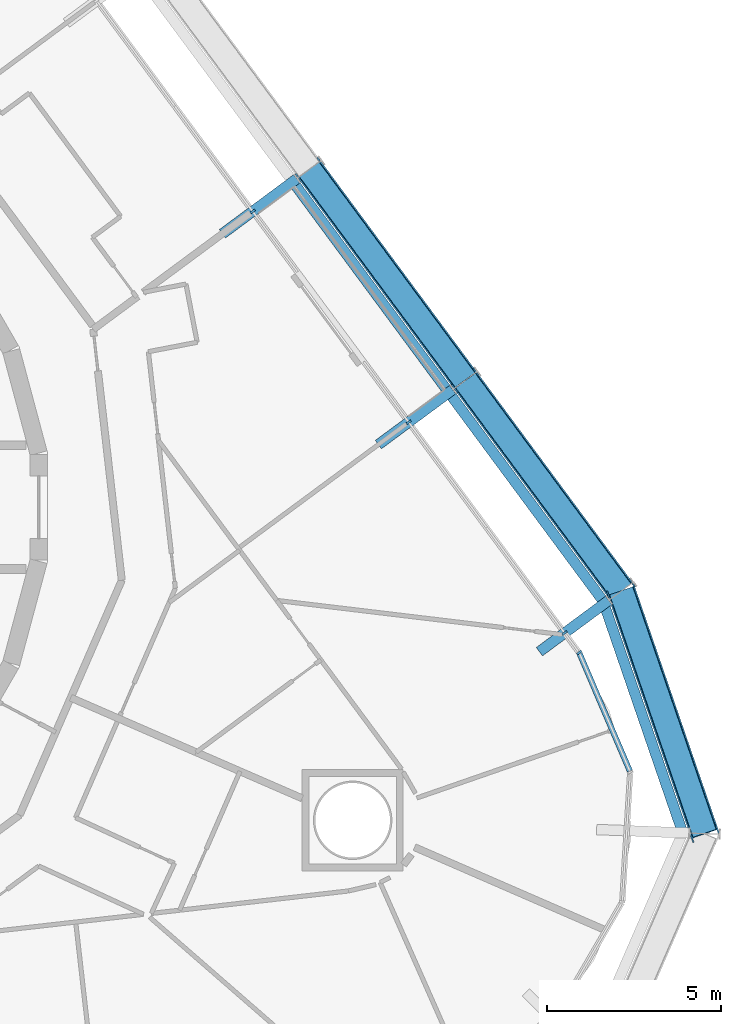
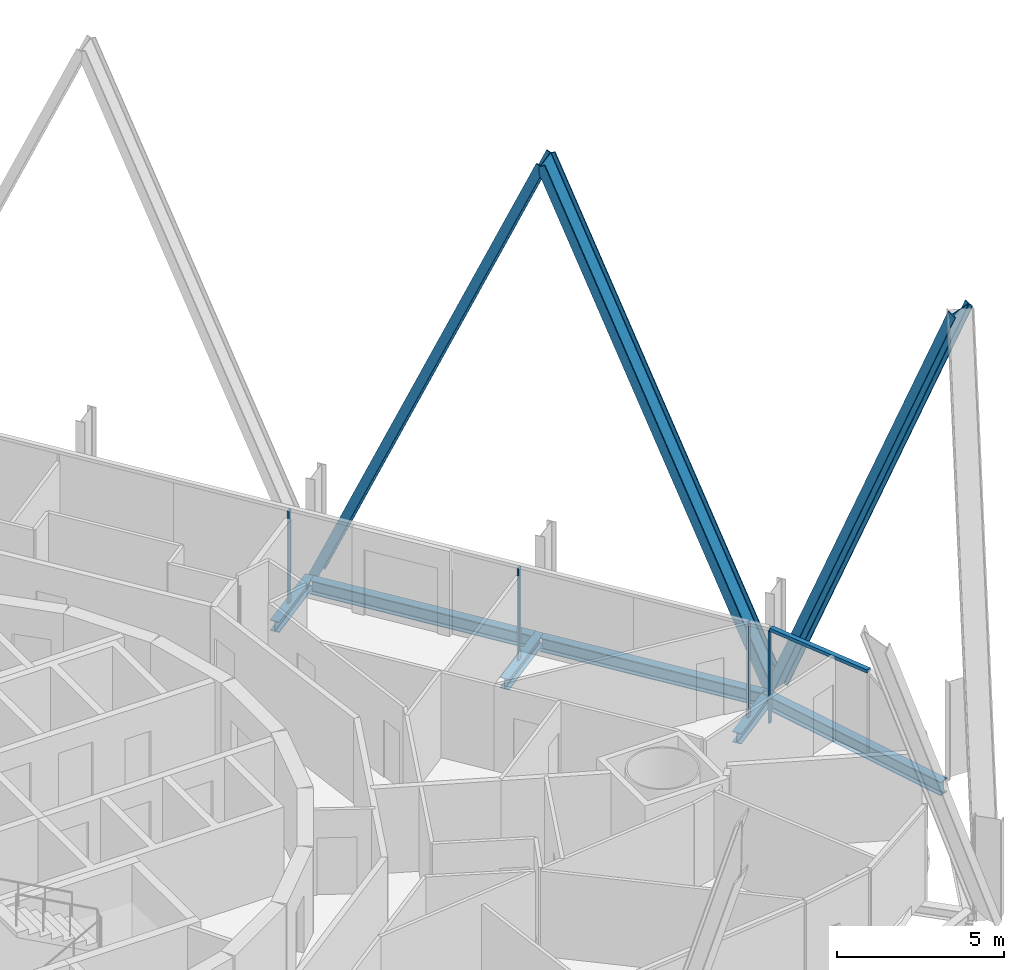
# One storey, part 8 of 23: 8 members, 6 beams, 2 elements without a shape of their own.
"""IFC4 building model written with IfcOpenShell, lengths in metres."""

from ifc_helpers import new_model, si_unit, direction, frame, origin, origin_2d, place, context, subcontext, project, spatial, rectangle, i_section, extrude, material, layer, layer_set, material_profile, profile_set, type_object, element, aggregate, save


model = new_model("IFC4")

# Units and contexts
model_context = context("Model", 3, precision=1e-05, world=origin(), true_north=direction((0.0, 1.0)))
body_context = subcontext(model_context, "Body", "Model", "MODEL_VIEW")
ifc_project = project(units=[si_unit("LENGTHUNIT", "METRE"), si_unit("AREAUNIT", "SQUARE_METRE"), si_unit("VOLUMEUNIT", "CUBIC_METRE"), si_unit("PLANEANGLEUNIT", "RADIAN"), si_unit("MASSUNIT", "GRAM", prefix="KILO")], contexts=[model_context])

# Site, building, storey
site_placement = place(None, origin())
site = spatial("IfcSite", under=ifc_project, at=site_placement, CompositionType="ELEMENT")
building_placement = place(site_placement, origin())
building = spatial("IfcBuilding", under=site, at=building_placement, Name="Spindle Arch Residences", CompositionType="ELEMENT")
storey_placement = place(building_placement, frame((0.0, 0.0, 90.699951171875)))
storey = spatial("IfcBuildingStorey", under=building, at=storey_placement, Name="L21", CompositionType="ELEMENT", Elevation=90.699951171875)

# Curtain wall, member
ifc_material_1 = material(Name="Aluminium bronze unitised frame with tinted glass", Category="aluminium")
ifc_layer_1 = layer(ifc_material_1, 0.159912109375)
ifc_layer_set_1 = layer_set([ifc_layer_1], Name="CW-D corner wall on the fillet arcs")
curtain_wall_type_1 = type_object("IfcCurtainWallType", Name="CW-D corner wall on the fillet arcs", PredefinedType="NOTDEFINED", material=ifc_layer_set_1)
curtain_wall_1_placement = place(storey_placement, origin())
curtain_wall_1 = element("IfcCurtainWall", 1, at=curtain_wall_1_placement, inside=storey, type_object=curtain_wall_type_1, Name="CW-D L21 run 1", PredefinedType="NOTDEFINED")
ifc_material_2 = material(Name="Aluminium bronze anodised mullion", Category="aluminium")
ifc_material_profile_1 = material_profile(ifc_material_2, rectangle(XDim=0.159912109375, YDim=0.06005859375, at=origin_2d()), Name="MU 60x160")
ifc_profile_set_1 = profile_set([ifc_material_profile_1], Name="Aluminium bronze anodised mullion")
member_type_1 = type_object("IfcMemberType", Name="Bronze mullion 60x160", PredefinedType="MULLION", material=ifc_profile_set_1)
member_1_placement = place(storey_placement, frame((27.142822265625, -4.171630859375, -0.3798828125), z_axis=(0.0, 0.0, 1.0), x_axis=(-0.803856860617, -0.594822786751, 0.0)))
member_1 = element("IfcMember", 2, at=member_1_placement, type_object=member_type_1, Name="CW-D mullion 05", PredefinedType="MULLION", context=body_context, shape_type="SweptSolid", body=[
    extrude(rectangle(XDim=0.159912109375, YDim=0.06005859375, at=origin_2d()), origin(), (0.0, 0.0, 1.0), 3.3798828125),
])

# Curtain wall, members
ifc_material_3 = material(Name="Aluminium bronze unitised frame with tinted glass", Category="aluminium")
ifc_layer_2 = layer(ifc_material_3, 0.159912109375)
ifc_layer_set_2 = layer_set([ifc_layer_2], Name="CW-C typical residential unitised wall")
curtain_wall_type_2 = type_object("IfcCurtainWallType", Name="CW-C typical residential unitised wall", PredefinedType="NOTDEFINED", material=ifc_layer_set_2)
curtain_wall_2_placement = place(storey_placement, origin())
curtain_wall_2 = element("IfcCurtainWall", 3, at=curtain_wall_2_placement, inside=storey, type_object=curtain_wall_type_2, Name="CW-C L21 run 2", PredefinedType="NOTDEFINED")
member_2_placement = place(storey_placement, frame((26.7255859375, -3.607666015625, -0.3798828125), z_axis=(0.0, 0.0, 1.0), x_axis=(-0.803856860617, -0.594822786751, 0.0)))
member_2 = element("IfcMember", 4, at=member_2_placement, type_object=member_type_1, Name="CW-C mullion 05", PredefinedType="MULLION", context=body_context, shape_type="SweptSolid", body=[
    extrude(rectangle(XDim=0.159912109375, YDim=0.06005859375, at=origin_2d()), origin(), (0.0, 0.0, 1.0), 3.3798828125),
])
member_3_placement = place(storey_placement, frame((22.253173828125, 2.436279296875, -0.3798828125), z_axis=(0.0, 0.0, 1.0), x_axis=(-0.803856860617, -0.594822786751, 0.0)))
member_3 = element("IfcMember", 5, at=member_3_placement, type_object=member_type_1, Name="CW-C mullion 06", PredefinedType="MULLION", context=body_context, shape_type="SweptSolid", body=[
    extrude(rectangle(XDim=0.159912109375, YDim=0.06005859375, at=origin_2d()), origin(), (0.0, 0.0, 1.0), 3.3798828125),
])
member_4_placement = place(storey_placement, frame((17.78076171875, 8.48046875, -0.3798828125), z_axis=(0.0, 0.0, 1.0), x_axis=(-0.803856860617, -0.594822786751, 0.0)))
member_4 = element("IfcMember", 6, at=member_4_placement, type_object=member_type_1, Name="CW-C mullion 07", PredefinedType="MULLION", context=body_context, shape_type="SweptSolid", body=[
    extrude(rectangle(XDim=0.159912109375, YDim=0.06005859375, at=origin_2d()), origin(), (0.0, 0.0, 1.0), 3.3798828125),
])
aggregate(curtain_wall_2, [member_2, member_3, member_4])

# Member
ifc_material_4 = material(Name="Aluminium bronze anodised transom", Category="aluminium")
ifc_material_profile_2 = material_profile(ifc_material_4, rectangle(XDim=0.159912109375, YDim=0.1201171875, at=origin_2d()), Name="TR 120x160")
ifc_profile_set_2 = profile_set([ifc_material_profile_2], Name="Aluminium bronze anodised transom")
member_type_2 = type_object("IfcMemberType", Name="Bronze transom 120x160", PredefinedType="USERDEFINED", material=ifc_profile_set_2)
member_5_placement = place(storey_placement, frame((28.59716796875, -7.5703125, 3.06005859375), z_axis=(-0.393429066236, 0.919354974882, 0.0), x_axis=(-0.919354974882, -0.393429066236, 0.0)))
member_5 = element("IfcMember", 7, at=member_5_placement, type_object=member_type_2, Name="CW-D transom 04", ObjectType="TRANSOM", PredefinedType="USERDEFINED", context=body_context, shape_type="SweptSolid", body=[
    extrude(rectangle(XDim=0.159912109375, YDim=0.1201171875, at=origin_2d()), origin(), (0.0, 0.0, 1.0), 3.666748046875),
])

aggregate(curtain_wall_1, [member_5, member_1])

# Members
ifc_material_5 = material(Name="Steel S460ML, intumescent coating R 240", Category="steel")
ifc_material_profile_3 = material_profile(ifc_material_5, i_section(OverallWidth=0.302978515625, OverallDepth=0.81396484375, WebThickness=0.02099609375, FlangeThickness=0.0400390625, FilletRadius=0.030029296875, at=origin_2d()), Name="HEM 800")
ifc_profile_set_3 = profile_set([ifc_material_profile_3], Name="Steel S460ML, intumescent coating R 240")
member_type_3 = type_object("IfcMemberType", Name="Diagrid diagonal HEM 800", PredefinedType="BRACE", material=ifc_profile_set_3)
member_6_placement = place(storey_placement, frame((28.349365234375, -2.40625, -0.6298828125), z_axis=(0.127367454391, -0.370450204797, 0.920078353907), x_axis=(-0.299151783577, 0.870087574736, 0.3917343777)))
element("IfcMember", 8, at=member_6_placement, inside=storey, type_object=member_type_3, Name="Diagrid diagonal 2.2.5", PredefinedType="BRACE", context=body_context, shape_type="SweptSolid", body=[
    extrude(i_section(OverallWidth=0.302978515625, OverallDepth=0.81396484375, WebThickness=0.02099609375, FlangeThickness=0.0400390625, FilletRadius=0.030029296875, at=origin_2d()), origin(), (0.0, 0.0, 1.0), 18.7734375),
])
member_7_placement = place(storey_placement, frame((28.349365234375, -2.40625, -0.6298828125), z_axis=(-0.237407949689, 0.320842219032, 0.916895706125), x_axis=(0.545386297226, -0.737055983429, 0.399126877182)))
element("IfcMember", 9, at=member_7_placement, inside=storey, type_object=member_type_3, Name="Diagrid diagonal 2.2.6", PredefinedType="BRACE", context=body_context, shape_type="SweptSolid", body=[
    extrude(i_section(OverallWidth=0.302978515625, OverallDepth=0.81396484375, WebThickness=0.02099609375, FlangeThickness=0.0400390625, FilletRadius=0.030029296875, at=origin_2d()), origin(), (0.0, 0.0, 1.0), 18.838623046875),
])
member_8_placement = place(storey_placement, frame((19.404541015625, 9.681884765625, -0.6298828125), z_axis=(0.237408936819, -0.320830593367, 0.916899518529), x_axis=(-0.545402800564, 0.737048514153, 0.399118119009)))
element("IfcMember", 10, at=member_8_placement, inside=storey, type_object=member_type_3, Name="Diagrid diagonal 2.2.7", PredefinedType="BRACE", context=body_context, shape_type="SweptSolid", body=[
    extrude(i_section(OverallWidth=0.302978515625, OverallDepth=0.81396484375, WebThickness=0.02099609375, FlangeThickness=0.0400390625, FilletRadius=0.030029296875, at=origin_2d()), origin(), (0.0, 0.0, 1.0), 18.83837890625),
])

# Beams
ifc_material_6 = material(Name="Steel S460ML, intumescent coating R 120", Category="steel")
ifc_material_profile_4 = material_profile(ifc_material_6, i_section(OverallWidth=0.300048828125, OverallDepth=0.5, WebThickness=0.014404296875, FlangeThickness=0.028076171875, FilletRadius=0.027099609375, at=origin_2d()), Name="HEB 500")
ifc_profile_set_4 = profile_set([ifc_material_profile_4], Name="Steel S460ML, intumescent coating R 120")
beam_type_1 = type_object("IfcBeamType", Name="Exoskeleton edge beam HEB 500", PredefinedType="BEAM", material=ifc_profile_set_4)
beam_1_placement = place(storey_placement, frame((30.13720703125, -9.4111328125, -0.6298828125), z_axis=(-0.325113431361, 0.94567502703, 0.0), x_axis=(-0.94567502703, -0.325113431361, 0.0)))
element("IfcBeam", 11, at=beam_1_placement, inside=storey, type_object=beam_type_1, Name="Exoskeleton edge beam 5", PredefinedType="BEAM", context=body_context, shape_type="SweptSolid", body=[
    extrude(i_section(OverallWidth=0.300048828125, OverallDepth=0.5, WebThickness=0.014404296875, FlangeThickness=0.028076171875, FilletRadius=0.027099609375, at=origin_2d()), origin(), (0.0, 0.0, 1.0), 7.09423828125),
])
for number, where, z_axis, x_axis, name in (
    (12, (27.800048828125, -2.65087890625, -0.6298828125), (-0.594821272041, 0.803857981441, 0.0), (-0.803857981441, -0.594821272041, 0.0), "Exoskeleton edge beam 6"),
    (13, (23.32763671875, 3.393310546875, -0.6298828125), (-0.594821272041, 0.803857981441, 0.0), (-0.803857981441, -0.594821272041, 0.0), "Exoskeleton edge beam 7"),
):
    element("IfcBeam", number, at=place(storey_placement, frame(where, z_axis=z_axis, x_axis=x_axis)), inside=storey, type_object=beam_type_1, Name=name, PredefinedType="BEAM", context=body_context, shape_type="SweptSolid", body=[
        extrude(i_section(OverallWidth=0.300048828125, OverallDepth=0.5, WebThickness=0.014404296875, FlangeThickness=0.028076171875, FilletRadius=0.027099609375, at=origin_2d()), origin(), (0.0, 0.0, 1.0), 7.2587890625),
    ])
ifc_material_7 = material(Name="Steel S460ML, intumescent coating R 120", Category="steel")
ifc_material_profile_5 = material_profile(ifc_material_7, i_section(OverallWidth=0.300048828125, OverallDepth=0.389892578125, WebThickness=0.010986328125, FlangeThickness=0.01904296875, FilletRadius=0.027099609375, at=origin_2d()), Name="HEA 400")
ifc_profile_set_5 = profile_set([ifc_material_profile_5], Name="Steel S460ML, intumescent coating R 120")
beam_type_2 = type_object("IfcBeamType", Name="Floor outrigger HEA 400", PredefinedType="BEAM", material=ifc_profile_set_5)
beam_2_placement = place(storey_placement, frame((27.987548828125, -2.673828125, -0.574951171875), z_axis=(-0.803824891941, -0.59486598751, 0.0), x_axis=(0.59486598751, -0.803824891941, 0.0)))
element("IfcBeam", 14, at=beam_2_placement, inside=storey, type_object=beam_type_2, Name="Floor outrigger 6", PredefinedType="BEAM", context=body_context, shape_type="SweptSolid", body=[
    extrude(i_section(OverallWidth=0.300048828125, OverallDepth=0.389892578125, WebThickness=0.010986328125, FlangeThickness=0.01904296875, FilletRadius=0.027099609375, at=origin_2d()), origin(), (0.0, 0.0, 1.0), 2.47119140625),
])
beam_3_placement = place(storey_placement, frame((23.51513671875, 3.3701171875, -0.574951171875), z_axis=(-0.803863925893, -0.59481323846, 0.0), x_axis=(0.59481323846, -0.803863925893, 0.0)))
element("IfcBeam", 15, at=beam_3_placement, inside=storey, type_object=beam_type_2, Name="Floor outrigger 7", PredefinedType="BEAM", context=body_context, shape_type="SweptSolid", body=[
    extrude(i_section(OverallWidth=0.300048828125, OverallDepth=0.389892578125, WebThickness=0.010986328125, FlangeThickness=0.01904296875, FilletRadius=0.027099609375, at=origin_2d()), origin(), (0.0, 0.0, 1.0), 2.64990234375),
])
beam_4_placement = place(storey_placement, frame((19.04296875, 9.414306640625, -0.574951171875), z_axis=(-0.80385247079, -0.594828719217, 0.0), x_axis=(0.594828719217, -0.80385247079, 0.0)))
element("IfcBeam", 16, at=beam_4_placement, inside=storey, type_object=beam_type_2, Name="Floor outrigger 8", PredefinedType="BEAM", context=body_context, shape_type="SweptSolid", body=[
    extrude(i_section(OverallWidth=0.300048828125, OverallDepth=0.389892578125, WebThickness=0.010986328125, FlangeThickness=0.01904296875, FilletRadius=0.027099609375, at=origin_2d()), origin(), (0.0, 0.0, 1.0), 2.650146484375),
])

save(model, "model.ifc")
